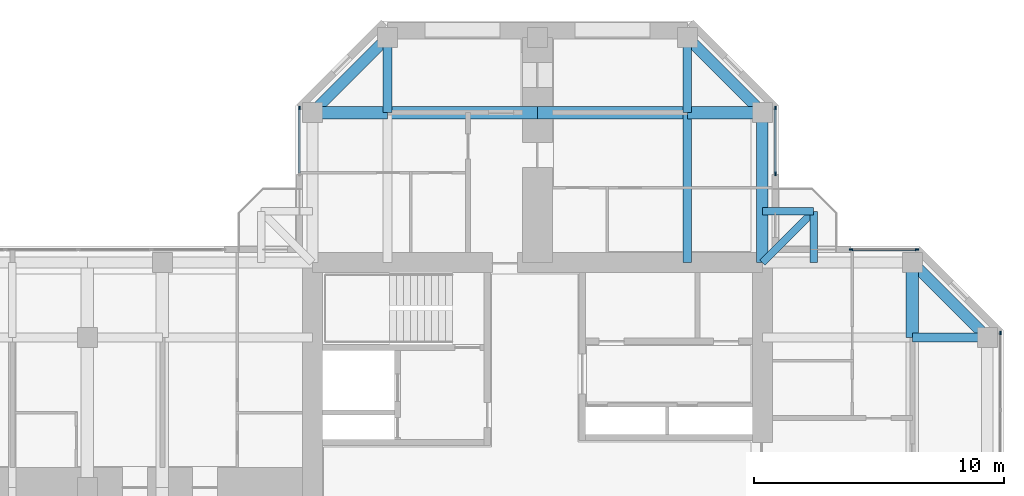
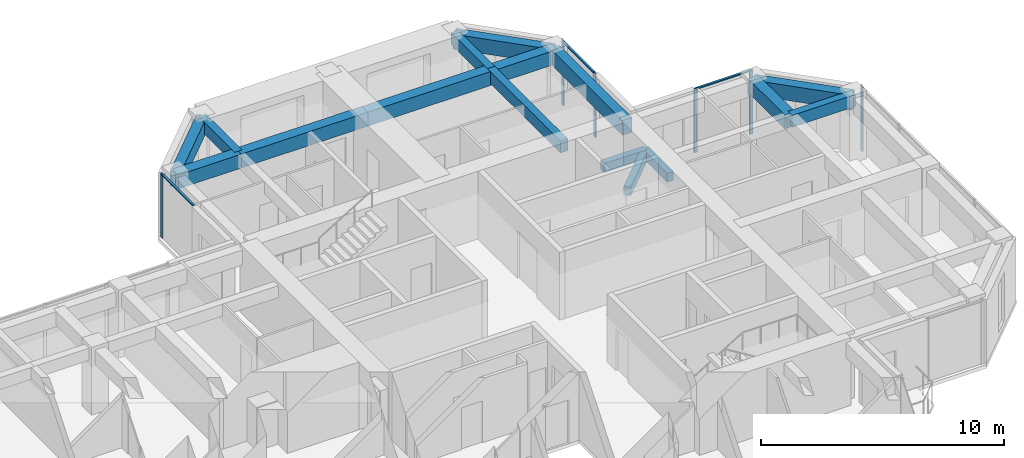
# One storey, part 6 of 13: 16 beams, 9 members, 4 elements without a shape of their own.
"""IFC4 building model written with IfcOpenShell, lengths in metres."""

from ifc_helpers import new_model, si_unit, direction, frame, origin, origin_2d, place, context, subcontext, project, spatial, rectangle, extrude, material, material_profile, profile_set, type_object, element, aggregate, save


model = new_model("IFC4")

# Units and contexts
model_context = context("Model", 3, precision=1e-05, world=origin(), true_north=direction((0.0, 1.0)))
body_context = subcontext(model_context, "Body", "Model", "MODEL_VIEW")
ifc_project = project(units=[si_unit("LENGTHUNIT", "METRE"), si_unit("AREAUNIT", "SQUARE_METRE"), si_unit("VOLUMEUNIT", "CUBIC_METRE"), si_unit("PLANEANGLEUNIT", "RADIAN"), si_unit("MASSUNIT", "GRAM", prefix="KILO")], contexts=[model_context])

# Site, building, storey
site_placement = place(None, origin())
site = spatial("IfcSite", under=ifc_project, at=site_placement, CompositionType="ELEMENT")
building_placement = place(site_placement, origin())
building = spatial("IfcBuilding", under=site, at=building_placement, Name="Torre Cruceta", CompositionType="ELEMENT")
storey_placement = place(building_placement, frame((0.0, 0.0, 235.699951171875)))
storey = spatial("IfcBuildingStorey", under=building, at=storey_placement, Name="L60", CompositionType="ELEMENT", Elevation=235.699951171875)

# Beams
ifc_material_1 = material(Name="Concrete G60 (fck 60 MPa)", Category="concrete")
ifc_material_profile_1 = material_profile(ifc_material_1, rectangle(XDim=0.300048828125, YDim=0.449951171875, at=origin_2d()), Name="RC 300X450")
ifc_profile_set_1 = profile_set([ifc_material_profile_1], Name="Concrete G60 (fck 60 MPa)")
beam_type_1 = type_object("IfcBeamType", Name="BALCONY CANTILEVER BEAM RC 300X450", PredefinedType="BEAM", material=ifc_profile_set_1)
beam_1_placement = place(storey_placement, frame((9.0, 9.0, -0.405029296875), z_axis=(0.707106781187, 0.707106781187, 0.0), x_axis=(-0.707106781187, 0.707106781187, 0.0)))
element("IfcBeam", 1, at=beam_1_placement, inside=storey, type_object=beam_type_1, Name="BB1 balcony beam L60 E", PredefinedType="BEAM", context=body_context, shape_type="SweptSolid", body=[
    extrude(rectangle(XDim=0.300048828125, YDim=0.449951171875, at=origin_2d()), origin(), (0.0, 0.0, 1.0), 2.89990234375),
])
for number, where, z_axis, x_axis, name in (
    (2, (11.050537109375, 9.0, -0.405029296875), (0.0, 1.0, 0.0), (-1.0, 0.0, 0.0), "BB1 balcony edge beam L60 E-X"),
    (3, (9.0, 11.050537109375, -0.405029296875), (1.0, 0.0, 0.0), (0.0, 1.0, 0.0), "BB1 balcony edge beam L60 E-Y"),
):
    element("IfcBeam", number, at=place(storey_placement, frame(where, z_axis=z_axis, x_axis=x_axis)), inside=storey, type_object=beam_type_1, Name=name, PredefinedType="BEAM", context=body_context, shape_type="SweptSolid", body=[
        extrude(rectangle(XDim=0.300048828125, YDim=0.449951171875, at=origin_2d()), origin(), (0.0, 0.0, 1.0), 2.050537109375),
    ])
ifc_material_2 = material(Name="Concrete G60 (fck 60 MPa)", Category="concrete")
ifc_material_profile_2 = material_profile(ifc_material_2, rectangle(XDim=0.35009765625, YDim=0.60009765625, at=origin_2d()), Name="RC 350X600")
ifc_profile_set_2 = profile_set([ifc_material_profile_2], Name="Concrete G60 (fck 60 MPa)")
beam_type_2 = type_object("IfcBeamType", Name="COLUMN LINE BEAM RC 350X600", PredefinedType="BEAM", material=ifc_profile_set_2)
beam_2_placement = place(storey_placement, frame((6.0, 9.0, 2.920166015625), z_axis=(0.0, 1.0, 0.0), x_axis=(-1.0, 0.0, 0.0)))
element("IfcBeam", 4, at=beam_2_placement, inside=storey, type_object=beam_type_2, Name="LB9 L60 N col- 1", PredefinedType="BEAM", context=body_context, shape_type="SweptSolid", body=[
    extrude(rectangle(XDim=0.35009765625, YDim=0.60009765625, at=origin_2d()), origin(), (0.0, 0.0, 1.0), 6.0),
])
for number, where, z_axis, x_axis, name in (
    (5, (6.0, 15.0, 2.920166015625), (0.0, 1.0, 0.0), (-1.0, 0.0, 0.0), "LB9 L60 N col- 2"),
    (6, (-6.0, 15.0, 2.920166015625), (0.0, 1.0, 0.0), (-1.0, 0.0, 0.0), "LB9 L60 N col+ 2"),
    (7, (15.0, 6.0, 2.920166015625), (1.0, 0.0, 0.0), (0.0, 1.0, 0.0), "LB9 L60 E col+ 2"),
):
    element("IfcBeam", number, at=place(storey_placement, frame(where, z_axis=z_axis, x_axis=x_axis)), inside=storey, type_object=beam_type_2, Name=name, PredefinedType="BEAM", context=body_context, shape_type="SweptSolid", body=[
        extrude(rectangle(XDim=0.35009765625, YDim=0.60009765625, at=origin_2d()), origin(), (0.0, 0.0, 1.0), 3.0),
    ])
ifc_material_3 = material(Name="Concrete G60 (fck 60 MPa)", Category="concrete")
ifc_material_profile_3 = material_profile(ifc_material_3, rectangle(XDim=0.5, YDim=0.699951171875, at=origin_2d()), Name="RC 500X700")
ifc_profile_set_3 = profile_set([ifc_material_profile_3], Name="Concrete G60 (fck 60 MPa)")
beam_type_3 = type_object("IfcBeamType", Name="CROSS BEAM RC 500X700", PredefinedType="BEAM", material=ifc_profile_set_3)
beam_3_placement = place(storey_placement, frame((9.0, 15.0, 2.8701171875), z_axis=(-1.0, 0.0, 0.0), x_axis=(0.0, -1.0, 0.0)))
element("IfcBeam", 8, at=beam_3_placement, inside=storey, type_object=beam_type_3, Name="GB7 L60 N cross15 1", PredefinedType="BEAM", context=body_context, shape_type="SweptSolid", body=[
    extrude(rectangle(XDim=0.5, YDim=0.699951171875, at=origin_2d()), origin(), (0.0, 0.0, 1.0), 3.0),
])
for number, where, z_axis, x_axis, name in (
    (9, (6.0, 15.0, 2.8701171875), (-1.0, 0.0, 0.0), (0.0, -1.0, 0.0), "GB7 L60 N cross15 2"),
    (10, (0.0, 15.0, 2.8701171875), (-1.0, 0.0, 0.0), (0.0, -1.0, 0.0), "GB7 L60 N cross15 3"),
):
    element("IfcBeam", number, at=place(storey_placement, frame(where, z_axis=z_axis, x_axis=x_axis)), inside=storey, type_object=beam_type_3, Name=name, PredefinedType="BEAM", context=body_context, shape_type="SweptSolid", body=[
        extrude(rectangle(XDim=0.5, YDim=0.699951171875, at=origin_2d()), origin(), (0.0, 0.0, 1.0), 6.0),
    ])
for number, where, z_axis, x_axis, name in (
    (11, (-6.0, 15.0, 2.8701171875), (-1.0, 0.0, 0.0), (0.0, -1.0, 0.0), "GB7 L60 N cross15 4"),
    (12, (15.0, 6.0, 2.8701171875), (0.0, 1.0, 0.0), (-1.0, 0.0, 0.0), "GB7 L60 E cross15 4"),
):
    element("IfcBeam", number, at=place(storey_placement, frame(where, z_axis=z_axis, x_axis=x_axis)), inside=storey, type_object=beam_type_3, Name=name, PredefinedType="BEAM", context=body_context, shape_type="SweptSolid", body=[
        extrude(rectangle(XDim=0.5, YDim=0.699951171875, at=origin_2d()), origin(), (0.0, 0.0, 1.0), 3.0),
    ])

# Curtain wall, member
ifc_material_4 = material(Name="Aluminium unitised curtain wall", Category="aluminium")
curtain_wall_type = type_object("IfcCurtainWallType", Name="CURTAIN WALL CW-D CO-LIVING UPPER", PredefinedType="USERDEFINED", material=ifc_material_4)
curtain_wall_1_placement = place(storey_placement, origin())
curtain_wall_1 = element("IfcCurtainWall", 13, at=curtain_wall_1_placement, inside=storey, type_object=curtain_wall_type, Name="CW-D L60 E tip 02", ObjectType="UNITISED", PredefinedType="USERDEFINED")
ifc_material_5 = material(Name="Aluminium mullion", Category="aluminium")
ifc_material_profile_4 = material_profile(ifc_material_5, rectangle(XDim=0.06005859375, YDim=0.14990234375, at=origin_2d()), Name="AL 60X150")
ifc_profile_set_4 = profile_set([ifc_material_profile_4], Name="Aluminium mullion")
member_type_1 = type_object("IfcMemberType", Name="CW-D MULLION 60X150", PredefinedType="MULLION", material=ifc_profile_set_4)
member_1_placement = place(storey_placement, frame((18.52001953125, 6.185302734375, 0.0), z_axis=(0.0, 0.0, 1.0), x_axis=(-1.0, 0.0, 0.0)))
member_1 = element("IfcMember", 14, at=member_1_placement, type_object=member_type_1, Name="CW-D mullion 5", PredefinedType="MULLION", context=body_context, shape_type="SweptSolid", body=[
    extrude(rectangle(XDim=0.06005859375, YDim=0.14990234375, at=origin_2d()), origin(), (0.0, 0.0, 1.0), 3.219970703125),
])
aggregate(curtain_wall_1, [member_1])

# Curtain wall, members
curtain_wall_2_placement = place(storey_placement, origin())
curtain_wall_2 = element("IfcCurtainWall", 15, at=curtain_wall_2_placement, inside=storey, type_object=curtain_wall_type, Name="CW-D L60 E side 04", ObjectType="UNITISED", PredefinedType="USERDEFINED")
member_2_placement = place(storey_placement, frame((15.185302734375, 9.52001953125, 0.0), z_axis=(0.0, 0.0, 1.0), x_axis=(0.0, -1.0, 0.0)))
member_2 = element("IfcMember", 16, at=member_2_placement, type_object=member_type_1, Name="CW-D mullion 1", PredefinedType="MULLION", context=body_context, shape_type="SweptSolid", body=[
    extrude(rectangle(XDim=0.06005859375, YDim=0.14990234375, at=origin_2d()), origin(), (0.0, 0.0, 1.0), 3.219970703125),
])
member_3_placement = place(storey_placement, frame((12.550048828125, 9.52001953125, 0.0), z_axis=(0.0, 0.0, 1.0), x_axis=(0.0, -1.0, 0.0)))
member_3 = element("IfcMember", 17, at=member_3_placement, type_object=member_type_1, Name="CW-D mullion 2", PredefinedType="MULLION", context=body_context, shape_type="SweptSolid", body=[
    extrude(rectangle(XDim=0.06005859375, YDim=0.14990234375, at=origin_2d()), origin(), (0.0, 0.0, 1.0), 3.219970703125),
])

curtain_wall_3_placement = place(storey_placement, origin())
curtain_wall_3 = element("IfcCurtainWall", 18, at=curtain_wall_3_placement, inside=storey, type_object=curtain_wall_type, Name="CW-D L60 N side 05", ObjectType="UNITISED", PredefinedType="USERDEFINED")
member_4_placement = place(storey_placement, frame((9.52001953125, 12.550048828125, 0.0), z_axis=(0.0, 0.0, 1.0), x_axis=(-1.0, 0.0, 0.0)))
member_4 = element("IfcMember", 19, at=member_4_placement, type_object=member_type_1, Name="CW-D mullion 1", PredefinedType="MULLION", context=body_context, shape_type="SweptSolid", body=[
    extrude(rectangle(XDim=0.06005859375, YDim=0.14990234375, at=origin_2d()), origin(), (0.0, 0.0, 1.0), 3.219970703125),
])
member_5_placement = place(storey_placement, frame((9.52001953125, 15.185302734375, 0.0), z_axis=(0.0, 0.0, 1.0), x_axis=(-1.0, 0.0, 0.0)))
member_5 = element("IfcMember", 20, at=member_5_placement, type_object=member_type_1, Name="CW-D mullion 2", PredefinedType="MULLION", context=body_context, shape_type="SweptSolid", body=[
    extrude(rectangle(XDim=0.06005859375, YDim=0.14990234375, at=origin_2d()), origin(), (0.0, 0.0, 1.0), 3.219970703125),
])

# Curtain wall, member
curtain_wall_4_placement = place(storey_placement, origin())
curtain_wall_4 = element("IfcCurtainWall", 21, at=curtain_wall_4_placement, inside=storey, type_object=curtain_wall_type, Name="CW-D L60 N side 09", ObjectType="UNITISED", PredefinedType="USERDEFINED")
member_6_placement = place(storey_placement, frame((-9.52001953125, 15.185302734375, 0.0), z_axis=(0.0, 0.0, 1.0), x_axis=(1.0, 0.0, 0.0)))
member_6 = element("IfcMember", 22, at=member_6_placement, type_object=member_type_1, Name="CW-D mullion 1", PredefinedType="MULLION", context=body_context, shape_type="SweptSolid", body=[
    extrude(rectangle(XDim=0.06005859375, YDim=0.14990234375, at=origin_2d()), origin(), (0.0, 0.0, 1.0), 3.219970703125),
])

# Member
ifc_material_6 = material(Name="Aluminium transom", Category="aluminium")
ifc_material_profile_5 = material_profile(ifc_material_6, rectangle(XDim=0.10009765625, YDim=0.06005859375, at=origin_2d()), Name="AL 100X60")
ifc_profile_set_5 = profile_set([ifc_material_profile_5], Name="Aluminium transom")
member_type_2 = type_object("IfcMemberType", Name="CW-D TRANSOM 60X100", PredefinedType="USERDEFINED", material=ifc_profile_set_5)
member_7_placement = place(storey_placement, frame((15.1552734375, 9.52001953125, 3.18994140625), z_axis=(-1.0, 0.0, 0.0), x_axis=(0.0, -1.0, 0.0)))
member_7 = element("IfcMember", 23, at=member_7_placement, type_object=member_type_2, Name="CW-D transom 1", ObjectType="TRANSOM", PredefinedType="USERDEFINED", context=body_context, shape_type="SweptSolid", body=[
    extrude(rectangle(XDim=0.10009765625, YDim=0.06005859375, at=origin_2d()), origin(), (0.0, 0.0, 1.0), 2.5751953125),
])

aggregate(curtain_wall_2, [member_2, member_3, member_7])

member_8_placement = place(storey_placement, frame((9.52001953125, 12.580078125, 3.18994140625), z_axis=(0.0, 1.0, 0.0), x_axis=(-1.0, 0.0, 0.0)))
member_8 = element("IfcMember", 24, at=member_8_placement, type_object=member_type_2, Name="CW-D transom 1", ObjectType="TRANSOM", PredefinedType="USERDEFINED", context=body_context, shape_type="SweptSolid", body=[
    extrude(rectangle(XDim=0.10009765625, YDim=0.06005859375, at=origin_2d()), origin(), (0.0, 0.0, 1.0), 2.5751953125),
])

aggregate(curtain_wall_3, [member_4, member_5, member_8])

member_9_placement = place(storey_placement, frame((-9.52001953125, 15.1552734375, 3.18994140625), z_axis=(0.0, -1.0, 0.0), x_axis=(1.0, 0.0, 0.0)))
member_9 = element("IfcMember", 25, at=member_9_placement, type_object=member_type_2, Name="CW-D transom 1", ObjectType="TRANSOM", PredefinedType="USERDEFINED", context=body_context, shape_type="SweptSolid", body=[
    extrude(rectangle(XDim=0.10009765625, YDim=0.06005859375, at=origin_2d()), origin(), (0.0, 0.0, 1.0), 2.5751953125),
])

aggregate(curtain_wall_4, [member_6, member_9])

# Beams
ifc_material_7 = material(Name="Concrete G60 (fck 60 MPa)", Category="concrete")
ifc_material_profile_6 = material_profile(ifc_material_7, rectangle(XDim=0.449951171875, YDim=0.75, at=origin_2d()), Name="RC 450X750")
ifc_profile_set_6 = profile_set([ifc_material_profile_6], Name="Concrete G60 (fck 60 MPa)")
beam_type_4 = type_object("IfcBeamType", Name="SPANDREL BEAM RC 450X750", PredefinedType="SPANDREL", material=ifc_profile_set_6)
beam_4_placement = place(storey_placement, frame((9.0, 9.0, 2.844970703125), z_axis=(0.0, 1.0, 0.0), x_axis=(-1.0, 0.0, 0.0)))
element("IfcBeam", 26, at=beam_4_placement, inside=storey, type_object=beam_type_4, Name="SB7 L60 N side- 1", PredefinedType="SPANDREL", context=body_context, shape_type="SweptSolid", body=[
    extrude(rectangle(XDim=0.449951171875, YDim=0.75, at=origin_2d()), origin(), (0.0, 0.0, 1.0), 6.0),
])
for number, where, z_axis, x_axis, name in (
    (27, (9.0, 15.0, 2.844970703125), (-0.707106781187, 0.707106781187, 0.0), (-0.707106781187, -0.707106781187, 0.0), "SB7 L60 N side- 2"),
    (28, (-9.0, 15.0, 2.844970703125), (0.707106781187, 0.707106781187, 0.0), (-0.707106781187, 0.707106781187, 0.0), "SB7 L60 N side+ 2"),
    (29, (15.0, 9.0, 2.844970703125), (0.707106781187, -0.707106781187, 0.0), (0.707106781187, 0.707106781187, 0.0), "SB7 L60 E side+ 2"),
):
    element("IfcBeam", number, at=place(storey_placement, frame(where, z_axis=z_axis, x_axis=x_axis)), inside=storey, type_object=beam_type_4, Name=name, PredefinedType="SPANDREL", context=body_context, shape_type="SweptSolid", body=[
        extrude(rectangle(XDim=0.449951171875, YDim=0.75, at=origin_2d()), origin(), (0.0, 0.0, 1.0), 4.24267578125),
    ])

save(model, "model.ifc")
